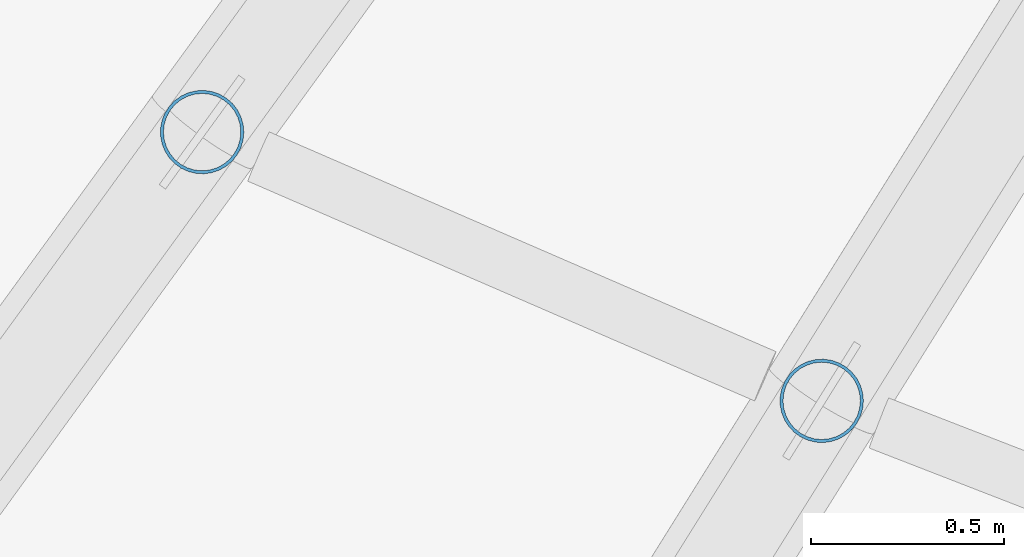
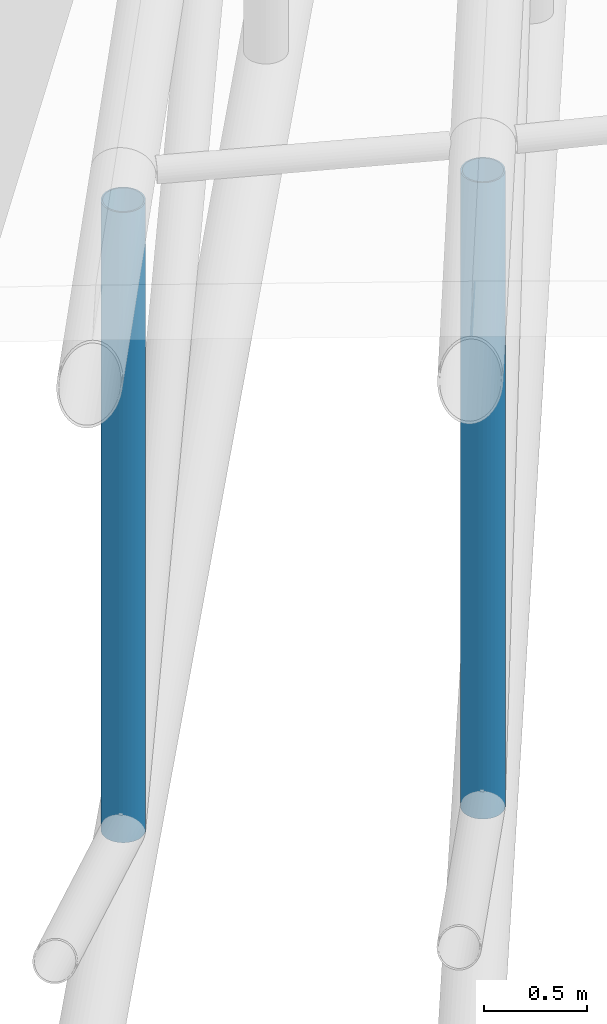
# One storey, part 26 of 163: 2 members.
"""IFC4 building model written with IfcOpenShell, lengths in metres."""

from ifc_helpers import new_model, si_unit, direction, frame, origin, origin_2d, place, context, subcontext, project, spatial, hollow_circle, extrude, material, material_profile, profile_set, type_object, element, save


model = new_model("IFC4")

# Units and contexts
model_context = context("Model", 3, precision=1e-05, world=origin(), true_north=direction((0.0, 1.0)))
body_context = subcontext(model_context, "Body", "Model", "MODEL_VIEW")
ifc_project = project(units=[si_unit("LENGTHUNIT", "METRE"), si_unit("AREAUNIT", "SQUARE_METRE"), si_unit("VOLUMEUNIT", "CUBIC_METRE"), si_unit("PLANEANGLEUNIT", "RADIAN"), si_unit("MASSUNIT", "GRAM", prefix="KILO")], contexts=[model_context])

# Site, building, storey
site_placement = place(None, origin())
site = spatial("IfcSite", under=ifc_project, at=site_placement, CompositionType="ELEMENT")
building_placement = place(site_placement, origin())
building = spatial("IfcBuilding", under=site, at=building_placement, Name="Rain Tree Exposition and Congress Centre", CompositionType="ELEMENT")
storey_placement = place(building_placement, frame((0.0, 0.0, 10.5)))
storey = spatial("IfcBuildingStorey", under=building, at=storey_placement, Name="L02", CompositionType="ELEMENT", Elevation=10.5)

# Members
ifc_material = material(Name="Steel S355J2H", Category="steel")
ifc_material_profile = material_profile(ifc_material, hollow_circle(Radius=0.108154296875, WallThickness=0.008056640625, at=origin_2d()), Name="CHS 216x8")
ifc_profile_set = profile_set([ifc_material_profile], Name="Steel S355J2H")
member_type = type_object("IfcMemberType", Name="Steel post member CHS 216x8", PredefinedType="POST", material=ifc_profile_set)
member_1_placement = place(storey_placement, frame((187.0205078125, 47.133056640625, 0.318603515625), z_axis=(0.0, 0.0, 1.0), x_axis=(1.0, 0.0, 0.0)))
element("IfcMember", 1, at=member_1_placement, inside=storey, type_object=member_type, Name="TP1-4", PredefinedType="POST", context=body_context, shape_type="SweptSolid", body=[
    extrude(hollow_circle(Radius=0.108154296875, WallThickness=0.008056640625, at=origin_2d()), origin(), (0.0, 0.0, 1.0), 3.718994140625),
])
member_2_placement = place(storey_placement, frame((188.625732421875, 46.436767578125, 0.318603515625), z_axis=(0.0, 0.0, 1.0), x_axis=(1.0, 0.0, 0.0)))
element("IfcMember", 2, at=member_2_placement, inside=storey, type_object=member_type, Name="TP2-4", PredefinedType="POST", context=body_context, shape_type="SweptSolid", body=[
    extrude(hollow_circle(Radius=0.108154296875, WallThickness=0.008056640625, at=origin_2d()), origin(), (0.0, 0.0, 1.0), 3.7548828125),
])

save(model, "model.ifc")
